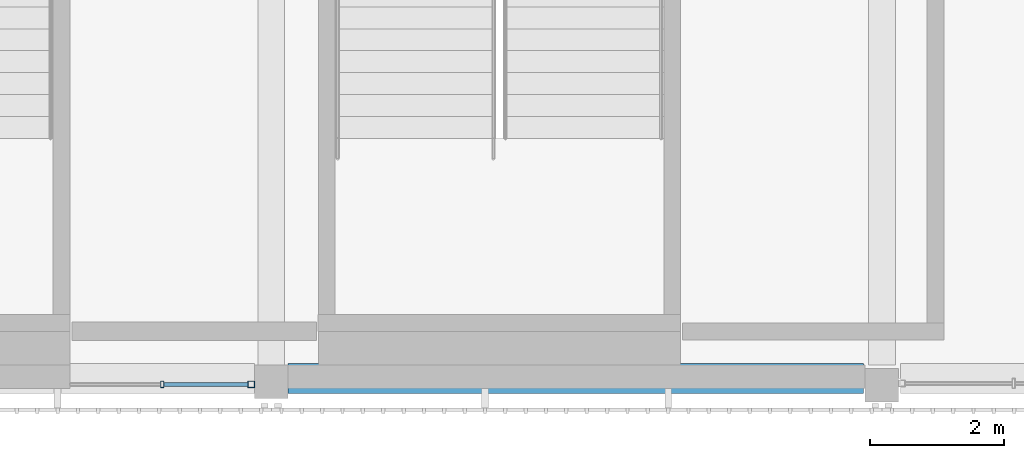
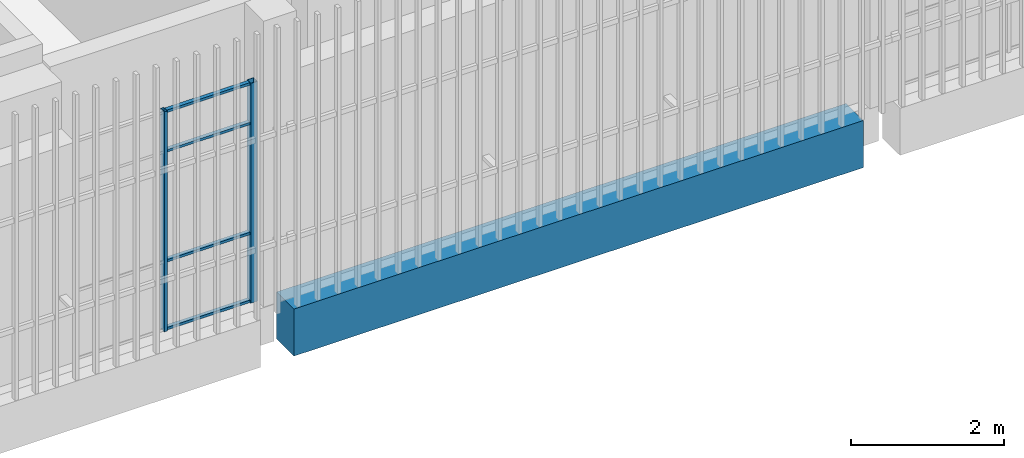
# One storey, part 4 of 124: 6 members, 1 beam, 1 element without a shape of its own.
"""IFC4 building model written with IfcOpenShell, lengths in metres."""

from ifc_helpers import new_model, si_unit, direction, frame, origin, origin_2d, place, context, subcontext, project, spatial, rectangle, hollow_rectangle, extrude, material, layer, layer_set, material_profile, profile_set, type_object, element, aggregate, save


model = new_model("IFC4")

# Units and contexts
model_context = context("Model", 3, precision=1e-05, world=origin(), true_north=direction((0.0, 1.0)))
body_context = subcontext(model_context, "Body", "Model", "MODEL_VIEW")
ifc_project = project(units=[si_unit("LENGTHUNIT", "METRE"), si_unit("AREAUNIT", "SQUARE_METRE"), si_unit("VOLUMEUNIT", "CUBIC_METRE"), si_unit("PLANEANGLEUNIT", "RADIAN"), si_unit("MASSUNIT", "GRAM", prefix="KILO")], contexts=[model_context])

# Site, building, storey
site_placement = place(None, origin())
site = spatial("IfcSite", under=ifc_project, at=site_placement, CompositionType="ELEMENT")
building_placement = place(site_placement, origin())
building = spatial("IfcBuilding", under=site, at=building_placement, Name="Shirokan Park Arena", CompositionType="ELEMENT")
storey_placement = place(building_placement, frame((0.0, 0.0, 20.02001953125)))
storey = spatial("IfcBuildingStorey", under=building, at=storey_placement, Name="L04", CompositionType="ELEMENT", Elevation=20.02001953125)

# Curtain wall, members
ifc_material_1 = material(Name="Steel and glass curtain wall", Category="steel")
ifc_layer = layer(ifc_material_1, 0.1201171875)
ifc_layer_set = layer_set([ifc_layer], Name="Steel and glass curtain wall 120 mm")
curtain_wall_type = type_object("IfcCurtainWallType", Name="Curtain wall corner block side bay 120", PredefinedType="NOTDEFINED", material=ifc_layer_set)
curtain_wall_placement = place(storey_placement, origin())
curtain_wall = element("IfcCurtainWall", 1, at=curtain_wall_placement, inside=storey, type_object=curtain_wall_type, Name="Curtain wall south bay 2 L04", PredefinedType="NOTDEFINED")
ifc_material_2 = material(Name="Steel S355", Category="steel")
ifc_material_profile_1 = material_profile(ifc_material_2, hollow_rectangle(XDim=0.10009765625, YDim=0.10009765625, WallThickness=0.006103515625, at=origin_2d()), Name="RHS 100x100x6")
ifc_profile_set_1 = profile_set([ifc_material_profile_1], Name="Steel S355")
member_type_1 = type_object("IfcMemberType", Name="Mullion RHS 100x100x6", PredefinedType="MULLION", material=ifc_profile_set_1)
member_1_placement = place(storey_placement, frame((17.89990234375, -0.090087890625, 0.0), z_axis=(0.0, 0.0, 1.0), x_axis=(0.0, 1.0, 0.0)))
member_1 = element("IfcMember", 2, at=member_1_placement, type_object=member_type_1, Name="CW3 mullion 3", PredefinedType="MULLION", context=body_context, shape_type="SweptSolid", body=[
    extrude(hollow_rectangle(XDim=0.10009765625, YDim=0.10009765625, WallThickness=0.006103515625, at=origin_2d()), origin(), (0.0, 0.0, 1.0), 3.5),
])
ifc_material_profile_2 = material_profile(ifc_material_2, hollow_rectangle(XDim=0.10009765625, YDim=0.050048828125, WallThickness=0.0048828125, at=origin_2d()), Name="RHS 100x50x5")
ifc_profile_set_2 = profile_set([ifc_material_profile_2], Name="Steel S355")
member_type_2 = type_object("IfcMemberType", Name="Mullion RHS 100x50x5", PredefinedType="MULLION", material=ifc_profile_set_2)
member_2_placement = place(storey_placement, frame((16.574951171875, -0.090087890625, 0.0), z_axis=(0.0, 0.0, 1.0), x_axis=(0.0, 1.0, 0.0)))
member_2 = element("IfcMember", 3, at=member_2_placement, type_object=member_type_2, Name="CW3 mullion 2", PredefinedType="MULLION", context=body_context, shape_type="SweptSolid", body=[
    extrude(hollow_rectangle(XDim=0.10009765625, YDim=0.050048828125, WallThickness=0.0048828125, at=origin_2d()), origin(), (0.0, 0.0, 1.0), 3.5),
])

# Beam
ifc_material_3 = material(Name="Concrete C35", Category="concrete")
ifc_material_profile_3 = material_profile(ifc_material_3, rectangle(XDim=0.449951171875, YDim=0.75, at=origin_2d()), Name="450x750")
ifc_profile_set_3 = profile_set([ifc_material_profile_3], Name="Concrete C35")
beam_type = type_object("IfcBeamType", Name="RC girder 450x750", PredefinedType="BEAM", material=ifc_profile_set_3)
beam_placement = place(storey_placement, frame((18.4501953125, 0.0, -0.625), z_axis=(1.0, 0.0, 0.0), x_axis=(0.0, 1.0, 0.0)))
element("IfcBeam", 4, at=beam_placement, inside=storey, type_object=beam_type, Name="Girder 3A-4A L04", PredefinedType="BEAM", context=body_context, shape_type="SweptSolid", body=[
    extrude(rectangle(XDim=0.449951171875, YDim=0.75, at=origin_2d()), origin(), (0.0, 0.0, 1.0), 8.57470703125),
])

# Member
ifc_material_profile_4 = material_profile(ifc_material_2, hollow_rectangle(XDim=0.06005859375, YDim=0.0400390625, WallThickness=0.00390625, at=origin_2d()), Name="RHS 60x40x4")
ifc_profile_set_4 = profile_set([ifc_material_profile_4], Name="Steel S355")
member_type_3 = type_object("IfcMemberType", Name="Transom RHS 60x40x4", PredefinedType="MULLION", material=ifc_profile_set_4)
member_3_placement = place(storey_placement, frame((16.60009765625, -0.090087890625, 0.02001953125), z_axis=(1.0, 0.0, 0.0), x_axis=(0.0, 1.0, 0.0)))
member_3 = element("IfcMember", 5, at=member_3_placement, type_object=member_type_3, Name="CW3 transom 2.1", PredefinedType="MULLION", context=body_context, shape_type="SweptSolid", body=[
    extrude(hollow_rectangle(XDim=0.06005859375, YDim=0.0400390625, WallThickness=0.00390625, at=origin_2d()), origin(), (0.0, 0.0, 1.0), 1.25),
])

member_4_placement = place(storey_placement, frame((16.60009765625, -0.090087890625, 1.10009765625), z_axis=(1.0, 0.0, 0.0), x_axis=(0.0, 1.0, 0.0)))
member_4 = element("IfcMember", 6, at=member_4_placement, type_object=member_type_3, Name="CW3 transom 2.2", PredefinedType="MULLION", context=body_context, shape_type="SweptSolid", body=[
    extrude(hollow_rectangle(XDim=0.06005859375, YDim=0.0400390625, WallThickness=0.00390625, at=origin_2d()), origin(), (0.0, 0.0, 1.0), 1.25),
])

member_5_placement = place(storey_placement, frame((16.60009765625, -0.090087890625, 2.85009765625), z_axis=(1.0, 0.0, 0.0), x_axis=(0.0, 1.0, 0.0)))
member_5 = element("IfcMember", 7, at=member_5_placement, type_object=member_type_3, Name="CW3 transom 2.3", PredefinedType="MULLION", context=body_context, shape_type="SweptSolid", body=[
    extrude(hollow_rectangle(XDim=0.06005859375, YDim=0.0400390625, WallThickness=0.00390625, at=origin_2d()), origin(), (0.0, 0.0, 1.0), 1.25),
])

member_6_placement = place(storey_placement, frame((16.60009765625, -0.090087890625, 3.47998046875), z_axis=(1.0, 0.0, 0.0), x_axis=(0.0, 1.0, 0.0)))
member_6 = element("IfcMember", 8, at=member_6_placement, type_object=member_type_3, Name="CW3 transom 2.4", PredefinedType="MULLION", context=body_context, shape_type="SweptSolid", body=[
    extrude(hollow_rectangle(XDim=0.06005859375, YDim=0.0400390625, WallThickness=0.00390625, at=origin_2d()), origin(), (0.0, 0.0, 1.0), 1.25),
])

aggregate(curtain_wall, [member_2, member_1, member_3, member_4, member_5, member_6])

save(model, "model.ifc")
